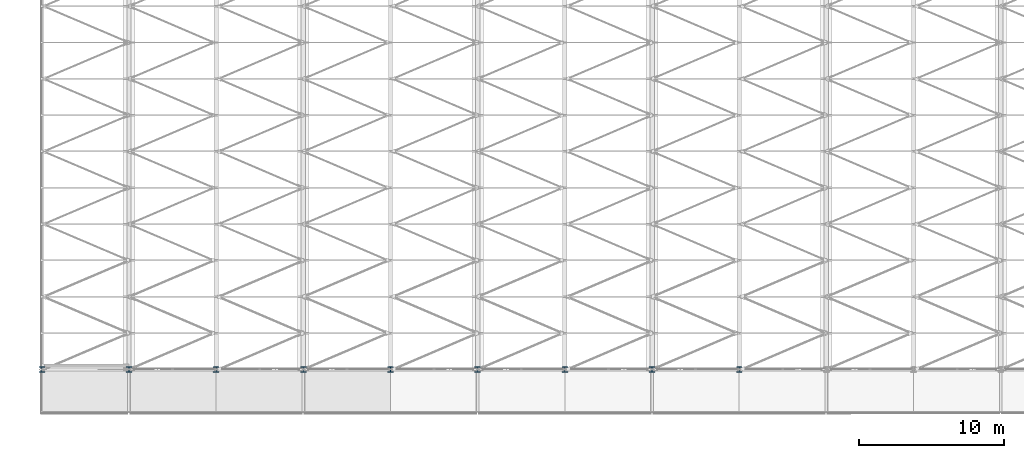
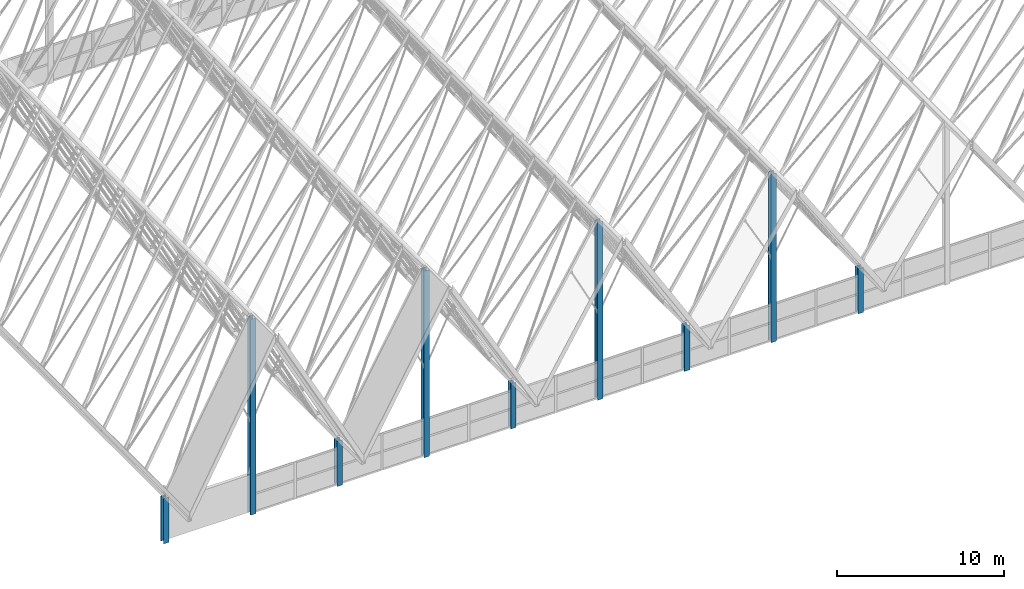
# One storey, part 1 of 483: 9 columns.
"""IFC4 building model written with IfcOpenShell, lengths in metres."""

from ifc_helpers import new_model, si_unit, direction, frame, origin, origin_2d, place, context, subcontext, project, spatial, i_section, extrude, material, material_profile, profile_set, type_object, element, save


model = new_model("IFC4")

# Units and contexts
model_context = context("Model", 3, precision=1e-05, world=origin(), true_north=direction((0.0, 1.0)))
body_context = subcontext(model_context, "Body", "Model", "MODEL_VIEW")
ifc_project = project(units=[si_unit("LENGTHUNIT", "METRE"), si_unit("AREAUNIT", "SQUARE_METRE"), si_unit("VOLUMEUNIT", "CUBIC_METRE"), si_unit("PLANEANGLEUNIT", "RADIAN"), si_unit("MASSUNIT", "GRAM", prefix="KILO")], contexts=[model_context])

# Site, building, storey
site_placement = place(None, origin())
site = spatial("IfcSite", under=ifc_project, at=site_placement, CompositionType="ELEMENT")
building_placement = place(site_placement, origin())
building = spatial("IfcBuilding", under=site, at=building_placement, Name="Parallax Yard Mobility Hub", CompositionType="ELEMENT")
storey_placement = place(building_placement, frame((0.0, 0.0, 13.199951171875)))
storey = spatial("IfcBuildingStorey", under=building, at=storey_placement, Name="L04", CompositionType="ELEMENT", Elevation=13.199951171875)

# Columns
ifc_material = material(Name="Steel ASTM A992", Category="steel")
ifc_material_profile = material_profile(ifc_material, i_section(OverallWidth=0.373046875, OverallDepth=0.367919921875, WebThickness=0.014892578125, FlangeThickness=0.02392578125, FilletRadius=0.01513671875, at=origin_2d()), Name="W360x179")
ifc_profile_set = profile_set([ifc_material_profile], Name="Steel ASTM A992")
column_type = type_object("IfcColumnType", Name="W360x179 column", PredefinedType="COLUMN", material=ifc_profile_set)
column_1_placement = place(storey_placement, frame((9.0, 7.5, 0.0), z_axis=(0.0, 0.0, 1.0), x_axis=(1.0, 0.0, 0.0)))
element("IfcColumn", 1, at=column_1_placement, inside=storey, type_object=column_type, Name="Valley column F1 south level L04", PredefinedType="COLUMN", context=body_context, shape_type="SweptSolid", body=[
    extrude(i_section(OverallWidth=0.373046875, OverallDepth=0.367919921875, WebThickness=0.014892578125, FlangeThickness=0.02392578125, FilletRadius=0.01513671875, at=origin_2d()), origin(), (0.0, 0.0, 1.0), 3.300048828125),
])
column_2_placement = place(storey_placement, frame((15.0, 7.5, 0.0), z_axis=(0.0, 0.0, 1.0), x_axis=(1.0, 0.0, 0.0)))
element("IfcColumn", 2, at=column_2_placement, inside=storey, type_object=column_type, Name="Ridge column F2 south level L04", PredefinedType="COLUMN", context=body_context, shape_type="SweptSolid", body=[
    extrude(i_section(OverallWidth=0.373046875, OverallDepth=0.367919921875, WebThickness=0.014892578125, FlangeThickness=0.02392578125, FilletRadius=0.01513671875, at=origin_2d()), origin(), (0.0, 0.0, 1.0), 14.300048828125),
])
column_3_placement = place(storey_placement, frame((21.0, 7.5, 0.0), z_axis=(0.0, 0.0, 1.0), x_axis=(1.0, 0.0, 0.0)))
element("IfcColumn", 3, at=column_3_placement, inside=storey, type_object=column_type, Name="Valley column F3 south level L04", PredefinedType="COLUMN", context=body_context, shape_type="SweptSolid", body=[
    extrude(i_section(OverallWidth=0.373046875, OverallDepth=0.367919921875, WebThickness=0.014892578125, FlangeThickness=0.02392578125, FilletRadius=0.01513671875, at=origin_2d()), origin(), (0.0, 0.0, 1.0), 3.300048828125),
])
column_4_placement = place(storey_placement, frame((27.0, 7.5, 0.0), z_axis=(0.0, 0.0, 1.0), x_axis=(1.0, 0.0, 0.0)))
element("IfcColumn", 4, at=column_4_placement, inside=storey, type_object=column_type, Name="Ridge column F4 south level L04", PredefinedType="COLUMN", context=body_context, shape_type="SweptSolid", body=[
    extrude(i_section(OverallWidth=0.373046875, OverallDepth=0.367919921875, WebThickness=0.014892578125, FlangeThickness=0.02392578125, FilletRadius=0.01513671875, at=origin_2d()), origin(), (0.0, 0.0, 1.0), 13.633056640625),
])
column_5_placement = place(storey_placement, frame((33.0, 7.5, 0.0), z_axis=(0.0, 0.0, 1.0), x_axis=(1.0, 0.0, 0.0)))
element("IfcColumn", 5, at=column_5_placement, inside=storey, type_object=column_type, Name="Valley column F5 south level L04", PredefinedType="COLUMN", context=body_context, shape_type="SweptSolid", body=[
    extrude(i_section(OverallWidth=0.373046875, OverallDepth=0.367919921875, WebThickness=0.014892578125, FlangeThickness=0.02392578125, FilletRadius=0.01513671875, at=origin_2d()), origin(), (0.0, 0.0, 1.0), 3.300048828125),
])
column_6_placement = place(storey_placement, frame((39.0, 7.5, 0.0), z_axis=(0.0, 0.0, 1.0), x_axis=(1.0, 0.0, 0.0)))
element("IfcColumn", 6, at=column_6_placement, inside=storey, type_object=column_type, Name="Ridge column F6 south level L04", PredefinedType="COLUMN", context=body_context, shape_type="SweptSolid", body=[
    extrude(i_section(OverallWidth=0.373046875, OverallDepth=0.367919921875, WebThickness=0.014892578125, FlangeThickness=0.02392578125, FilletRadius=0.01513671875, at=origin_2d()), origin(), (0.0, 0.0, 1.0), 12.967041015625),
])
column_7_placement = place(storey_placement, frame((45.0, 7.5, 0.0), z_axis=(0.0, 0.0, 1.0), x_axis=(1.0, 0.0, 0.0)))
element("IfcColumn", 7, at=column_7_placement, inside=storey, type_object=column_type, Name="Valley column F7 south level L04", PredefinedType="COLUMN", context=body_context, shape_type="SweptSolid", body=[
    extrude(i_section(OverallWidth=0.373046875, OverallDepth=0.367919921875, WebThickness=0.014892578125, FlangeThickness=0.02392578125, FilletRadius=0.01513671875, at=origin_2d()), origin(), (0.0, 0.0, 1.0), 3.300048828125),
])
column_8_placement = place(storey_placement, frame((51.0, 7.5, 0.0), z_axis=(0.0, 0.0, 1.0), x_axis=(1.0, 0.0, 0.0)))
element("IfcColumn", 8, at=column_8_placement, inside=storey, type_object=column_type, Name="Ridge column F8 south level L04", PredefinedType="COLUMN", context=body_context, shape_type="SweptSolid", body=[
    extrude(i_section(OverallWidth=0.373046875, OverallDepth=0.367919921875, WebThickness=0.014892578125, FlangeThickness=0.02392578125, FilletRadius=0.01513671875, at=origin_2d()), origin(), (0.0, 0.0, 1.0), 12.300048828125),
])
column_9_placement = place(storey_placement, frame((57.0, 7.5, 0.0), z_axis=(0.0, 0.0, 1.0), x_axis=(1.0, 0.0, 0.0)))
element("IfcColumn", 9, at=column_9_placement, inside=storey, type_object=column_type, Name="Valley column F9 south level L04", PredefinedType="COLUMN", context=body_context, shape_type="SweptSolid", body=[
    extrude(i_section(OverallWidth=0.373046875, OverallDepth=0.367919921875, WebThickness=0.014892578125, FlangeThickness=0.02392578125, FilletRadius=0.01513671875, at=origin_2d()), origin(), (0.0, 0.0, 1.0), 3.300048828125),
])

save(model, "model.ifc")
